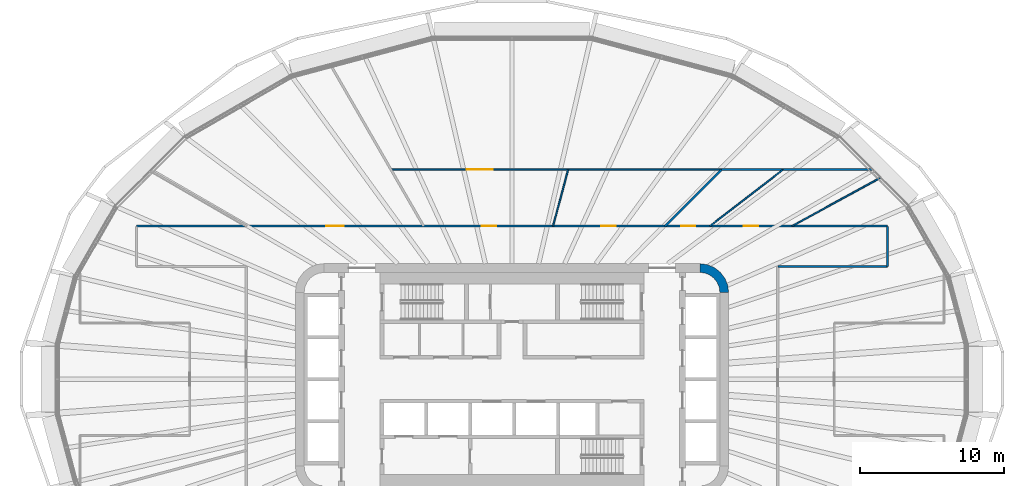
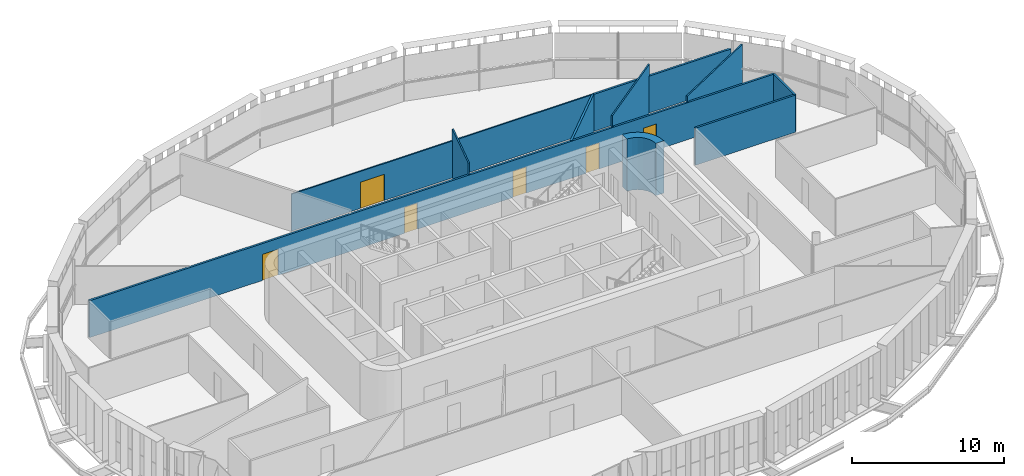
# One storey, part 17 of 25: 10 walls, 6 doors, 6 openings.
"""IFC4 building model written with IfcOpenShell, lengths in metres."""

from ifc_helpers import new_model, si_unit, direction, frame, frame_2d, origin, place, context, subcontext, project, spatial, polyline, rectangle, outline, extrude, material, layer, layer_set, type_object, element, fill, save


model = new_model("IFC4")

# Units and contexts
model_context = context("Model", 3, precision=1e-05, world=origin(), true_north=direction((0.0, 1.0)))
body_context = subcontext(model_context, "Body", "Model", "MODEL_VIEW")
ifc_project = project(units=[si_unit("LENGTHUNIT", "METRE"), si_unit("AREAUNIT", "SQUARE_METRE"), si_unit("VOLUMEUNIT", "CUBIC_METRE"), si_unit("PLANEANGLEUNIT", "RADIAN"), si_unit("MASSUNIT", "GRAM", prefix="KILO")], contexts=[model_context])

# Site, building, storey
site_placement = place(None, origin())
site = spatial("IfcSite", under=ifc_project, at=site_placement, CompositionType="ELEMENT")
building_placement = place(site_placement, origin())
building = spatial("IfcBuilding", under=site, at=building_placement, Name="Sahrelin Media Tower", CompositionType="ELEMENT")
storey_placement = place(building_placement, frame((0.0, 0.0, 144.0)))
storey = spatial("IfcBuildingStorey", under=building, at=storey_placement, Name="L29", CompositionType="ELEMENT", Elevation=144.0)

# Walls
ifc_material_1 = material(Name="Concrete C60/75", Category="concrete")
ifc_layer_1 = layer(ifc_material_1, 0.60009765625)
ifc_layer_set_1 = layer_set([ifc_layer_1], Name="Core wall 600")
wall_type_1 = type_object("IfcWallType", Name="Core wall 600", PredefinedType="SHEAR", material=ifc_layer_set_1)
wall_1_placement = place(storey_placement, origin())
element("IfcWall", 1, at=wall_1_placement, inside=storey, type_object=wall_type_1, Name="Core wall corner NE L29", PredefinedType="SHEAR", context=body_context, shape_type="SweptSolid", body=[
    extrude(outline(polyline([(13.0, 8.0), (13.0, 7.394775390625), (13.361083984375, 7.347412109375), (13.697509765625, 7.2080078125), (13.986328125, 6.986328125), (14.2080078125, 6.697509765625), (14.347412109375, 6.361083984375), (14.394775390625, 6.0), (15.0, 6.0), (14.931884765625, 6.517578125), (14.732177734375, 7.0), (14.414306640625, 7.414306640625), (14.0, 7.732177734375), (13.517578125, 7.931884765625), (13.0, 8.0)])), origin(), (0.0, 0.0, 1.0), 4.199951171875),
])
ifc_material_2 = material(Name="Fire-rated gypsum board partition")
ifc_layer_2 = layer(ifc_material_2, 0.14990234375)
ifc_layer_set_2 = layer_set([ifc_layer_2], Name="Fire-rated partition 150")
wall_type_2 = type_object("IfcWallType", Name="Fire-rated partition 150", PredefinedType="PARTITIONING", material=ifc_layer_set_2)
wall_2_placement = place(storey_placement, frame((18.39990234375, 7.800048828125, 0.0), z_axis=(0.0, 0.0, 1.0), x_axis=(1.0, 0.0, 0.0)))
element("IfcWall", 2, at=wall_2_placement, inside=storey, type_object=wall_type_2, Name="Wall", PredefinedType="PARTITIONING", context=body_context, shape_type="SweptSolid", body=[
    extrude(rectangle(XDim=7.60009765625, YDim=0.14990234375, at=frame_2d((3.800048828125, 0.0))), origin(), (0.0, 0.0, 1.0), 2.97705078125),
])

# Wall, openings, doors
wall_3_placement = place(storey_placement, frame((-25.986083984375, 10.60009765625, 0.0), z_axis=(0.0, 0.0, 1.0), x_axis=(1.0, 0.0, 0.0)))
wall_3 = element("IfcWall", 3, at=wall_3_placement, inside=storey, type_object=wall_type_2, Name="Wall", PredefinedType="PARTITIONING", context=body_context, shape_type="SweptSolid", body=[
    extrude(rectangle(XDim=51.97216796875, YDim=0.14990234375, at=frame_2d((25.986083984375, 0.0))), origin(), (0.0, 0.0, 1.0), 2.96826171875),
])
opening_1_placement = place(wall_3_placement, frame((42.031494140625, 0.0, 0.0)))
opening_1 = element("IfcOpeningElement", 4, at=opening_1_placement, cuts=wall_3, Name="Opening L29-D23", PredefinedType="OPENING", context=body_context, shape_type="SweptSolid", body=[
    extrude(rectangle(XDim=1.0, YDim=2.10009765625, at=frame_2d((0.5, 1.050048828125))), frame((0.0, 0.074951171875, 0.0), z_axis=(0.0, -1.0, 0.0), x_axis=(1.0, 0.0, 0.0)), (0.0, 0.0, 1.0), 0.14990234375),
])
opening_2_placement = place(wall_3_placement, frame((37.68994140625, 0.0, 0.0)))
opening_2 = element("IfcOpeningElement", 5, at=opening_2_placement, cuts=wall_3, Name="Opening L29-D24", PredefinedType="OPENING", context=body_context, shape_type="SweptSolid", body=[
    extrude(rectangle(XDim=1.0, YDim=2.10009765625, at=frame_2d((0.5, 1.050048828125))), frame((0.0, 0.074951171875, 0.0), z_axis=(0.0, -1.0, 0.0), x_axis=(1.0, 0.0, 0.0)), (0.0, 0.0, 1.0), 0.14990234375),
])
opening_3_placement = place(wall_3_placement, frame((32.155517578125, 0.0, 0.0)))
opening_3 = element("IfcOpeningElement", 6, at=opening_3_placement, cuts=wall_3, Name="Opening L29-D26", PredefinedType="OPENING", context=body_context, shape_type="SweptSolid", body=[
    extrude(rectangle(XDim=1.0, YDim=2.10009765625, at=frame_2d((0.5, 1.050048828125))), frame((0.0, 0.074951171875, 0.0), z_axis=(0.0, -1.0, 0.0), x_axis=(1.0, 0.0, 0.0)), (0.0, 0.0, 1.0), 0.14990234375),
])
opening_4_placement = place(wall_3_placement, frame((23.896484375, 0.0, 0.0)))
opening_4 = element("IfcOpeningElement", 7, at=opening_4_placement, cuts=wall_3, Name="Opening L29-D27", PredefinedType="OPENING", context=body_context, shape_type="SweptSolid", body=[
    extrude(rectangle(XDim=1.0, YDim=2.10009765625, at=frame_2d((0.5, 1.050048828125))), frame((0.0, 0.074951171875, 0.0), z_axis=(0.0, -1.0, 0.0), x_axis=(1.0, 0.0, 0.0)), (0.0, 0.0, 1.0), 0.14990234375),
])
opening_5_placement = place(wall_3_placement, frame((13.1259765625, 0.0, 0.0)))
opening_5 = element("IfcOpeningElement", 8, at=opening_5_placement, cuts=wall_3, Name="Opening L29-D29", PredefinedType="OPENING", context=body_context, shape_type="SweptSolid", body=[
    extrude(rectangle(XDim=1.199951171875, YDim=2.10009765625, at=frame_2d((0.60009765625, 1.050048828125))), frame((0.0, 0.074951171875, 0.0), z_axis=(0.0, -1.0, 0.0), x_axis=(1.0, 0.0, 0.0)), (0.0, 0.0, 1.0), 0.14990234375),
])
ifc_material_3 = material(Name="Steel fire door leaf", Category="steel")
door_type_1 = type_object("IfcDoorType", Name="Fire door 1000 x 2100 EI 60", OperationType="NOTDEFINED", PredefinedType="DOOR", material=ifc_material_3)
door_1_placement = place(opening_1_placement, origin())
door_1 = element("IfcDoor", 9, at=door_1_placement, inside=storey, type_object=door_type_1, Name="Fire door", OperationType="SINGLE_SWING_RIGHT", OverallHeight=2.10009765625, OverallWidth=1.0, PredefinedType="DOOR", context=body_context, shape_type="SweptSolid", body=[
    extrude(rectangle(XDim=1.0, YDim=2.10009765625, at=frame_2d((0.5, 1.050048828125))), frame((0.0, 0.02490234375, 0.0), z_axis=(0.0, -1.0, 0.0), x_axis=(1.0, 0.0, 0.0)), (0.0, 0.0, 1.0), 0.050048828125),
])
fill(opening_1, door_1)
door_2_placement = place(opening_2_placement, origin())
door_2 = element("IfcDoor", 10, at=door_2_placement, inside=storey, type_object=door_type_1, Name="Fire door", OperationType="SINGLE_SWING_LEFT", OverallHeight=2.10009765625, OverallWidth=1.0, PredefinedType="DOOR", context=body_context, shape_type="SweptSolid", body=[
    extrude(rectangle(XDim=1.0, YDim=2.10009765625, at=frame_2d((0.5, 1.050048828125))), frame((0.0, 0.02490234375, 0.0), z_axis=(0.0, -1.0, 0.0), x_axis=(1.0, 0.0, 0.0)), (0.0, 0.0, 1.0), 0.050048828125),
])
fill(opening_2, door_2)
door_3_placement = place(opening_3_placement, origin())
door_3 = element("IfcDoor", 11, at=door_3_placement, inside=storey, type_object=door_type_1, Name="Fire door", OperationType="SINGLE_SWING_RIGHT", OverallHeight=2.10009765625, OverallWidth=1.0, PredefinedType="DOOR", context=body_context, shape_type="SweptSolid", body=[
    extrude(rectangle(XDim=1.0, YDim=2.10009765625, at=frame_2d((0.5, 1.050048828125))), frame((0.0, 0.02490234375, 0.0), z_axis=(0.0, -1.0, 0.0), x_axis=(1.0, 0.0, 0.0)), (0.0, 0.0, 1.0), 0.050048828125),
])
fill(opening_3, door_3)
door_4_placement = place(opening_4_placement, origin())
door_4 = element("IfcDoor", 12, at=door_4_placement, inside=storey, type_object=door_type_1, Name="Fire door", OperationType="SINGLE_SWING_LEFT", OverallHeight=2.10009765625, OverallWidth=1.0, PredefinedType="DOOR", context=body_context, shape_type="SweptSolid", body=[
    extrude(rectangle(XDim=1.0, YDim=2.10009765625, at=frame_2d((0.5, 1.050048828125))), frame((0.0, 0.02490234375, 0.0), z_axis=(0.0, -1.0, 0.0), x_axis=(1.0, 0.0, 0.0)), (0.0, 0.0, 1.0), 0.050048828125),
])
fill(opening_4, door_4)
door_type_2 = type_object("IfcDoorType", Name="Service double door 1200 x 2100 EI 60", OperationType="DOUBLE_DOOR_SINGLE_SWING", PredefinedType="DOOR", material=ifc_material_3)
door_5_placement = place(opening_5_placement, origin())
door_5 = element("IfcDoor", 13, at=door_5_placement, inside=storey, type_object=door_type_2, Name="Service double door", OperationType="DOUBLE_DOOR_SINGLE_SWING", OverallHeight=2.10009765625, OverallWidth=1.199951171875, PredefinedType="DOOR", context=body_context, shape_type="SweptSolid", body=[
    extrude(rectangle(XDim=1.199951171875, YDim=2.10009765625, at=frame_2d((0.60009765625, 1.050048828125))), frame((0.0, 0.02490234375, 0.0), z_axis=(0.0, -1.0, 0.0), x_axis=(1.0, 0.0, 0.0)), (0.0, 0.0, 1.0), 0.050048828125),
])
fill(opening_5, door_5)

# Walls
wall_4_placement = place(storey_placement, frame((14.510009765625, 14.510009765625, 0.0), z_axis=(0.0, 0.0, 1.0), x_axis=(1.0, 0.0, 0.0)))
element("IfcWall", 14, at=wall_4_placement, inside=storey, type_object=wall_type_2, Name="Wall", PredefinedType="PARTITIONING", context=body_context, shape_type="SweptSolid", body=[
    extrude(rectangle(XDim=10.4599609375, YDim=0.14990234375, at=frame_2d((5.22998046875, 0.0))), origin(), (0.0, 0.0, 1.0), 2.96826171875),
])
wall_5_placement = place(storey_placement, frame((10.60009765625, 10.60009765625, 0.0), z_axis=(0.0, 0.0, 1.0), x_axis=(0.707106781187, 0.707106781187, 0.0)))
element("IfcWall", 15, at=wall_5_placement, inside=storey, type_object=wall_type_2, Name="Wall", PredefinedType="PARTITIONING", context=body_context, shape_type="SweptSolid", body=[
    extrude(rectangle(XDim=5.529541015625, YDim=0.14990234375, at=frame_2d((2.7646484375, 0.0))), origin(), (0.0, 0.0, 1.0), 2.96826171875),
])
wall_6_placement = place(storey_placement, frame((26.0, 7.800048828125, 0.0), z_axis=(0.0, 0.0, 1.0), x_axis=(0.0, 1.0, 0.0)))
element("IfcWall", 16, at=wall_6_placement, inside=storey, type_object=wall_type_2, Name="Wall", PredefinedType="PARTITIONING", context=body_context, shape_type="SweptSolid", body=[
    extrude(rectangle(XDim=2.77490234375, YDim=0.14990234375, at=frame_2d((1.387451171875, 0.0))), origin(), (0.0, 0.0, 1.0), 2.97705078125),
])

# Wall, opening, door
ifc_material_4 = material(Name="Gypsum board partition")
ifc_layer_3 = layer(ifc_material_4, 0.10009765625)
ifc_layer_set_3 = layer_set([ifc_layer_3], Name="Partition 100")
wall_type_3 = type_object("IfcWallType", Name="Partition 100", PredefinedType="PARTITIONING", material=ifc_layer_set_3)
wall_7_placement = place(storey_placement, frame((-8.3779296875, 14.510009765625, 0.0), z_axis=(0.0, 0.0, 1.0), x_axis=(1.0, 0.0, 0.0)))
wall_7 = element("IfcWall", 17, at=wall_7_placement, inside=storey, type_object=wall_type_3, Name="Wall", PredefinedType="PARTITIONING", context=body_context, shape_type="SweptSolid", body=[
    extrude(rectangle(XDim=22.887939453125, YDim=0.10009765625, at=frame_2d((11.44384765625, 0.0))), origin(), (0.0, 0.0, 1.0), 2.96826171875),
])
opening_6_placement = place(wall_7_placement, frame((5.23291015625, 0.0, 0.0)))
opening_6 = element("IfcOpeningElement", 18, at=opening_6_placement, cuts=wall_7, Name="Opening L29-D28", PredefinedType="OPENING", context=body_context, shape_type="SweptSolid", body=[
    extrude(rectangle(XDim=1.800048828125, YDim=2.10009765625, at=frame_2d((0.89990234375, 1.050048828125))), frame((0.0, 0.050048828125, 0.0), z_axis=(0.0, -1.0, 0.0), x_axis=(1.0, 0.0, 0.0)), (0.0, 0.0, 1.0), 0.10009765625),
])
ifc_material_5 = material(Name="Timber door leaf", Category="wood")
door_type_3 = type_object("IfcDoorType", Name="Double door 1800 x 2100", OperationType="DOUBLE_DOOR_SINGLE_SWING", PredefinedType="DOOR", material=ifc_material_5)
door_6_placement = place(opening_6_placement, origin())
door_6 = element("IfcDoor", 19, at=door_6_placement, inside=storey, type_object=door_type_3, Name="Double door", OperationType="DOUBLE_DOOR_SINGLE_SWING", OverallHeight=2.10009765625, OverallWidth=1.800048828125, PredefinedType="DOOR", context=body_context, shape_type="SweptSolid", body=[
    extrude(rectangle(XDim=1.800048828125, YDim=2.10009765625, at=frame_2d((0.89990234375, 1.050048828125))), frame((0.0, 0.02490234375, 0.0), z_axis=(0.0, -1.0, 0.0), x_axis=(1.0, 0.0, 0.0)), (0.0, 0.0, 1.0), 0.050048828125),
])
fill(opening_6, door_6)

# Walls
wall_8_placement = place(storey_placement, frame((19.384033203125, 10.60009765625, 0.0), z_axis=(0.0, 0.0, 1.0), x_axis=(0.877388352769, 0.479780865006, 0.0)))
element("IfcWall", 20, at=wall_8_placement, inside=storey, type_object=wall_type_3, Name="Wall", PredefinedType="PARTITIONING", context=body_context, shape_type="SweptSolid", body=[
    extrude(rectangle(XDim=6.996826171875, YDim=0.10009765625, at=frame_2d((3.49853515625, 0.0))), origin(), (0.0, 0.0, 1.0), 3.4736328125),
])
wall_9_placement = place(storey_placement, frame((13.70703125, 10.60009765625, 0.0), z_axis=(0.0, 0.0, 1.0), x_axis=(0.791052244704, 0.611748597177, 0.0)))
element("IfcWall", 21, at=wall_9_placement, inside=storey, type_object=wall_type_3, Name="Wall", PredefinedType="PARTITIONING", context=body_context, shape_type="SweptSolid", body=[
    extrude(rectangle(XDim=6.391357421875, YDim=0.10009765625, at=frame_2d((3.19580078125, 0.0))), origin(), (0.0, 0.0, 1.0), 3.89990234375),
])
wall_10_placement = place(storey_placement, frame((2.840087890625, 10.60009765625, 0.0), z_axis=(0.0, 0.0, 1.0), x_axis=(0.258863707653, 0.965913857888, 0.0)))
element("IfcWall", 22, at=wall_10_placement, inside=storey, type_object=wall_type_3, Name="Wall", PredefinedType="PARTITIONING", context=body_context, shape_type="SweptSolid", body=[
    extrude(rectangle(XDim=4.0478515625, YDim=0.10009765625, at=frame_2d((2.02392578125, 0.0))), origin(), (0.0, 0.0, 1.0), 3.89990234375),
])

save(model, "model.ifc")
